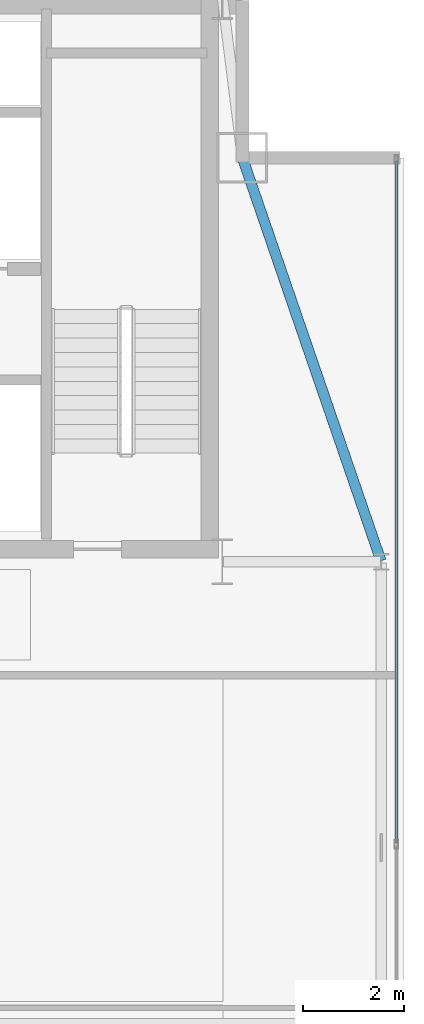
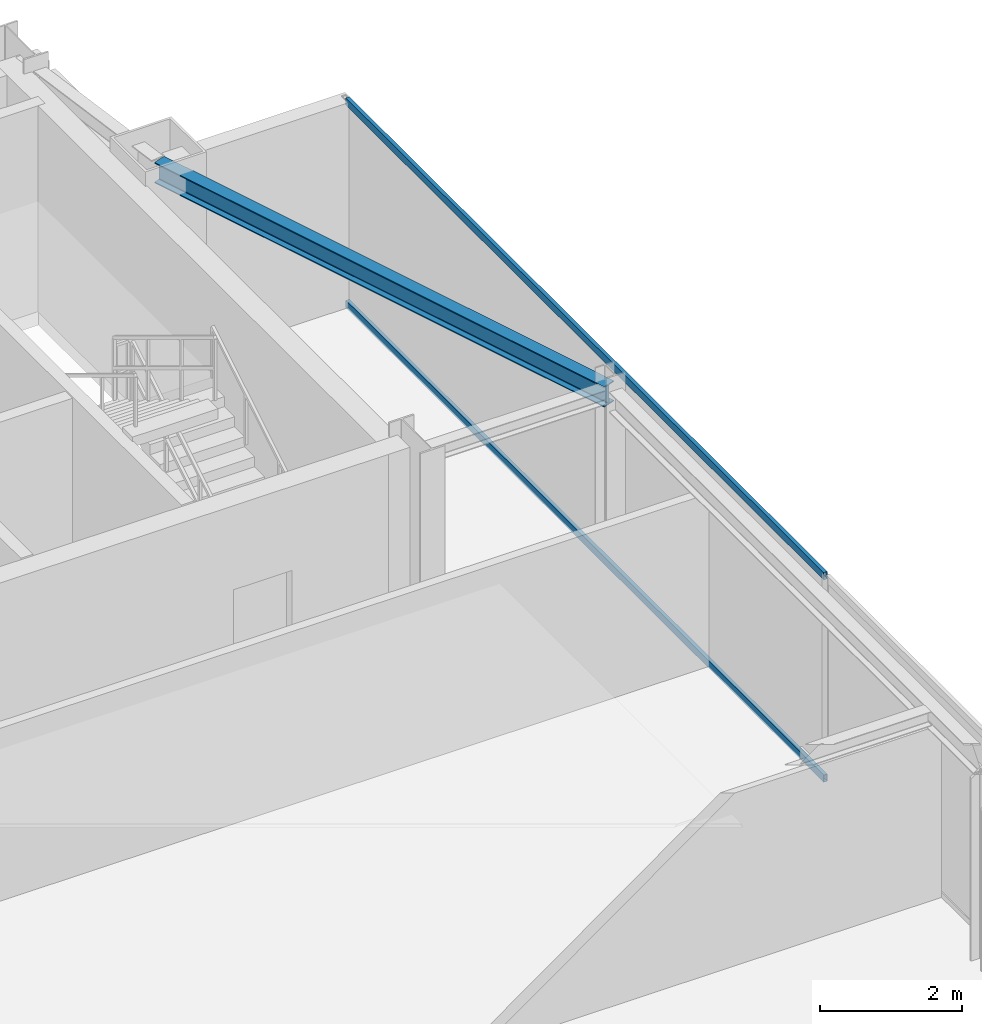
# One storey, part 15 of 24: 2 members, 1 beam, 1 element without a shape of its own.
"""IFC4 building model written with IfcOpenShell, lengths in metres."""

from ifc_helpers import new_model, si_unit, direction, frame, origin, origin_2d, place, context, subcontext, project, spatial, hollow_rectangle, i_section, extrude, source, transform, mapped, material, layer, layer_set, material_profile, profile_set, type_object, type_shapes, element, aggregate, save


model = new_model("IFC4")

# Units and contexts
model_context = context("Model", 3, precision=1e-05, world=origin(), true_north=direction((0.0, 1.0)))
body_context = subcontext(model_context, "Body", "Model", "MODEL_VIEW")
ifc_project = project(units=[si_unit("LENGTHUNIT", "METRE"), si_unit("AREAUNIT", "SQUARE_METRE"), si_unit("VOLUMEUNIT", "CUBIC_METRE"), si_unit("PLANEANGLEUNIT", "RADIAN"), si_unit("MASSUNIT", "GRAM", prefix="KILO")], contexts=[model_context])

# Site, building, storey
site_placement = place(None, origin())
site = spatial("IfcSite", under=ifc_project, at=site_placement, CompositionType="ELEMENT")
building_placement = place(site_placement, origin())
building = spatial("IfcBuilding", under=site, at=building_placement, Name="Varnel Quay Broadcast Tower", CompositionType="ELEMENT")
storey_placement = place(building_placement, frame((0.0, 0.0, 281.199951171875)))
storey = spatial("IfcBuildingStorey", under=building, at=storey_placement, Name="L70", CompositionType="ELEMENT", Elevation=281.199951171875)

# Beam
ifc_material_1 = material(Name="Structural Steel CSA G40.21 350W", Category="steel")
ifc_material_profile_1 = material_profile(ifc_material_1, i_section(OverallWidth=0.205078125, OverallDepth=0.35400390625, WebThickness=0.009521484375, FlangeThickness=0.016845703125, FilletRadius=0.012939453125, at=origin_2d()), Name="W360X79")
ifc_profile_set_1 = profile_set([ifc_material_profile_1], Name="Structural Steel CSA G40.21 350W")
beam_type = type_object("IfcBeamType", Name="Beam_W360X79", PredefinedType="SPANDREL", material=ifc_profile_set_1)
shared_shape_1 = source(origin(), body_context, "Body", "SweptSolid", [
    extrude(i_section(OverallWidth=0.205078125, OverallDepth=0.35400390625, WebThickness=0.009521484375, FlangeThickness=0.016845703125, FilletRadius=0.012939453125, at=origin_2d()), origin(), (0.0, 0.0, 1.0), 8.41943359375),
])
type_shapes(beam_type, [shared_shape_1])
beam_placement = place(storey_placement, frame((55.54345703125, 35.618896484375, 3.373046875), z_axis=(-0.325087062108, 0.945684092099, 0.0), x_axis=(-0.945684092099, -0.325087062108, 0.0)))
element("IfcBeam", 1, at=beam_placement, inside=storey, type_object=beam_type, Name="L70 East Spandrel TC-E2-MC-NE", PredefinedType="SPANDREL", context=body_context, shape_type="MappedRepresentation", body=[
    mapped(shared_shape_1, transform((0.0, 0.0, 0.0), x_axis=(1.0, 0.0, 0.0), y_axis=(0.0, 1.0, 0.0), z_axis=(0.0, 0.0, 1.0), scale=1.0)),
])

# Curtain wall, members
ifc_material_2 = material(Name="Anodised Bronze Aluminium 6063-T6", Category="aluminium")
ifc_layer = layer(ifc_material_2, 0.18994140625, Name="Anodised Bronze Aluminium 6063-T6")
ifc_layer_set = layer_set([ifc_layer], Name="Anodised Bronze Aluminium 6063-T6")
curtain_wall_type = type_object("IfcCurtainWallType", Name="CW_UpperTower", PredefinedType="NOTDEFINED", material=ifc_layer_set)
curtain_wall_placement = place(storey_placement, origin())
curtain_wall = element("IfcCurtainWall", 2, at=curtain_wall_placement, inside=storey, type_object=curtain_wall_type, Name="L70 East Unitised Curtain Wall", PredefinedType="NOTDEFINED")
ifc_material_profile_2 = material_profile(ifc_material_2, hollow_rectangle(XDim=0.06005859375, YDim=0.125, WallThickness=0.0029296875, at=origin_2d()), Name="ALU60X125X3")
ifc_profile_set_2 = profile_set([ifc_material_profile_2], Name="Anodised Bronze Aluminium 6063-T6")
member_type = type_object("IfcMemberType", Name="Tran_CWS-03", PredefinedType="USERDEFINED", material=ifc_profile_set_2)
shared_shape_2 = source(origin(), body_context, "Body", "SweptSolid", [
    extrude(hollow_rectangle(XDim=0.06005859375, YDim=0.125, WallThickness=0.0029296875, at=origin_2d()), origin(), (0.0, 0.0, 1.0), 13.50244140625),
])
type_shapes(member_type, [shared_shape_2])
member_1_placement = place(storey_placement, frame((55.85009765625, 30.032470703125, 0.030029296875), z_axis=(0.0, 1.0, 0.0), x_axis=(-1.0, 0.0, 0.0)))
member_1 = element("IfcMember", 3, at=member_1_placement, type_object=member_type, Name="CWS-03 transom 2.1", ObjectType="TRANSOM", PredefinedType="USERDEFINED", context=body_context, shape_type="MappedRepresentation", body=[
    mapped(shared_shape_2, transform((0.0, 0.0, 0.0), x_axis=(1.0, 0.0, 0.0), y_axis=(0.0, 1.0, 0.0), z_axis=(0.0, 0.0, 1.0), scale=1.0)),
])
member_2_placement = place(storey_placement, frame((55.85009765625, 30.032470703125, 3.52001953125), z_axis=(0.0, 1.0, 0.0), x_axis=(-1.0, 0.0, 0.0)))
member_2 = element("IfcMember", 4, at=member_2_placement, type_object=member_type, Name="CWS-03 transom 2.2", ObjectType="TRANSOM", PredefinedType="USERDEFINED", context=body_context, shape_type="MappedRepresentation", body=[
    mapped(shared_shape_2, transform((0.0, 0.0, 0.0), x_axis=(1.0, 0.0, 0.0), y_axis=(0.0, 1.0, 0.0), z_axis=(0.0, 0.0, 1.0), scale=1.0)),
])
aggregate(curtain_wall, [member_1, member_2])

save(model, "model.ifc")
